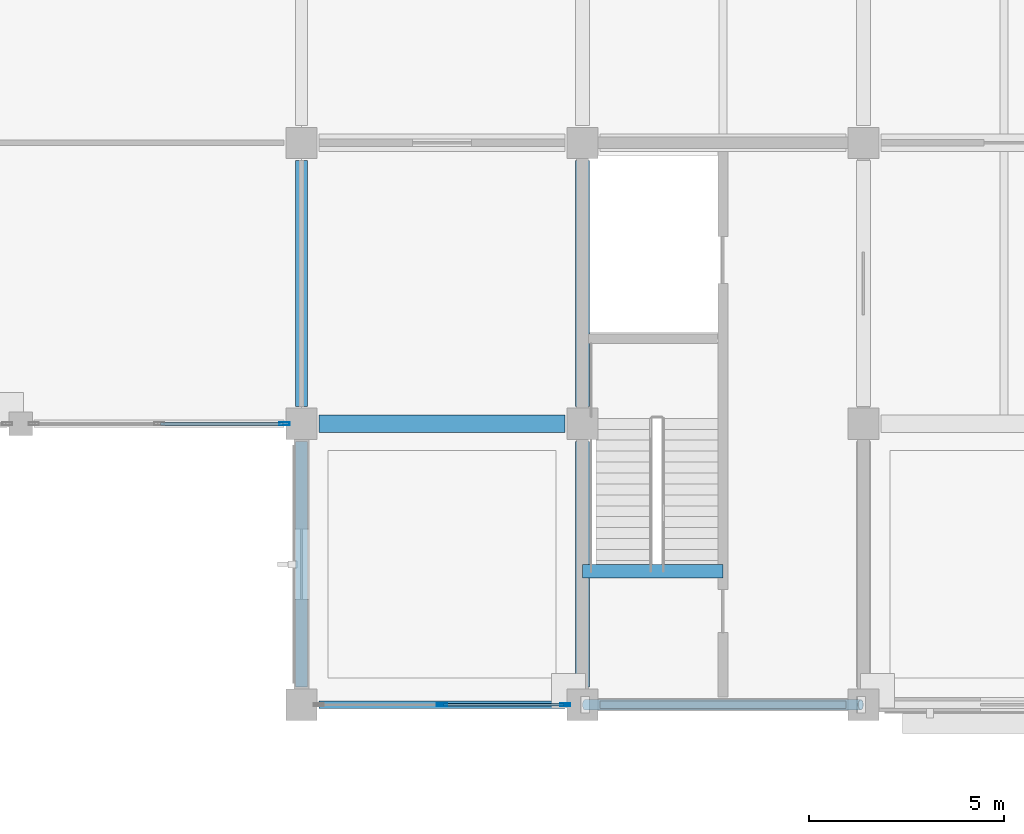
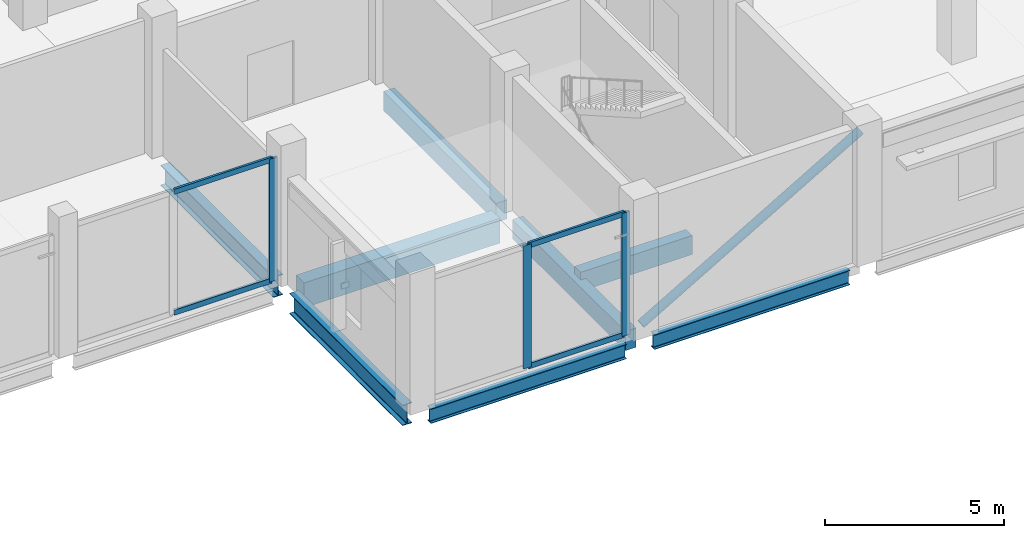
# One storey, part 17 of 99: 8 beams, 8 members, 2 elements without a shape of their own.
"""IFC4 building model written with IfcOpenShell, lengths in metres."""

from ifc_helpers import new_model, si_unit, direction, frame, origin, origin_2d, place, context, subcontext, project, spatial, rectangle, hollow_rectangle, hollow_circle, i_section, extrude, material, material_profile, profile_set, type_object, element, aggregate, save


model = new_model("IFC4")

# Units and contexts
model_context = context("Model", 3, precision=1e-05, world=origin(), true_north=direction((0.0, 1.0)))
body_context = subcontext(model_context, "Body", "Model", "MODEL_VIEW")
ifc_project = project(units=[si_unit("LENGTHUNIT", "METRE"), si_unit("AREAUNIT", "SQUARE_METRE"), si_unit("VOLUMEUNIT", "CUBIC_METRE"), si_unit("PLANEANGLEUNIT", "RADIAN"), si_unit("MASSUNIT", "GRAM", prefix="KILO")], contexts=[model_context])

# Site, building, storey
site_placement = place(None, origin())
site = spatial("IfcSite", under=ifc_project, at=site_placement, CompositionType="ELEMENT")
building_placement = place(site_placement, origin())
building = spatial("IfcBuilding", under=site, at=building_placement, Name="Vesperath Aquatics Centre", CompositionType="ELEMENT")
storey_placement = place(building_placement, frame((0.0, 0.0, 5.39990234375)))
storey = spatial("IfcBuildingStorey", under=building, at=storey_placement, Name="L01", CompositionType="ELEMENT", Elevation=5.39990234375)

# Beams
ifc_material_1 = material(Name="Concrete C35", Category="concrete")
ifc_material_profile_1 = material_profile(ifc_material_1, rectangle(XDim=0.449951171875, YDim=0.85009765625, at=origin_2d()), Name="RC 450x850")
ifc_profile_set_1 = profile_set([ifc_material_profile_1], Name="Concrete C35")
beam_type_1 = type_object("IfcBeamType", Name="BM-G03", PredefinedType="BEAM", material=ifc_profile_set_1)
beam_1_placement = place(storey_placement, frame((115.64990234375, 7.199951171875, -0.684814453125), z_axis=(1.0, 0.0, 0.0), x_axis=(0.0, 1.0, 0.0)))
element("IfcBeam", 1, at=beam_1_placement, inside=storey, type_object=beam_type_1, Name="Floor Girder B03 L01 B 17-18", PredefinedType="BEAM", context=body_context, shape_type="SweptSolid", body=[
    extrude(rectangle(XDim=0.449951171875, YDim=0.85009765625, at=origin_2d()), origin(), (0.0, 0.0, 1.0), 6.300048828125),
])
ifc_material_profile_2 = material_profile(ifc_material_1, rectangle(XDim=0.35009765625, YDim=0.64990234375, at=origin_2d()), Name="RC 350x650")
ifc_profile_set_2 = profile_set([ifc_material_profile_2], Name="Concrete C35")
beam_type_2 = type_object("IfcBeamType", Name="BM-G05", PredefinedType="BEAM", material=ifc_profile_set_2)
for number, where, z_axis, x_axis, name in (
    (2, (122.39990234375, 0.449951171875, -0.5849609375), (0.0, 1.0, 0.0), (-1.0, 0.0, 0.0), "Floor Girder B05 L01 18 A-B"),
    (3, (122.39990234375, 7.64990234375, -0.5849609375), (0.0, 1.0, 0.0), (-1.0, 0.0, 0.0), "Floor Girder B05 L01 18 B-C"),
):
    element("IfcBeam", number, at=place(storey_placement, frame(where, z_axis=z_axis, x_axis=x_axis)), inside=storey, type_object=beam_type_2, Name=name, PredefinedType="BEAM", context=body_context, shape_type="SweptSolid", body=[
        extrude(rectangle(XDim=0.35009765625, YDim=0.64990234375, at=origin_2d()), origin(), (0.0, 0.0, 1.0), 6.300048828125),
    ])
beam_2_placement = place(storey_placement, frame((122.39990234375, 3.419921875, -0.324951171875), z_axis=(1.0, 0.0, 0.0), x_axis=(0.0, 1.0, 0.0)))
element("IfcBeam", 4, at=beam_2_placement, inside=storey, type_object=beam_type_2, Name="Stair ST5 Landing Trimmer Beam B05 L01", PredefinedType="BEAM", context=body_context, shape_type="SweptSolid", body=[
    extrude(rectangle(XDim=0.35009765625, YDim=0.64990234375, at=origin_2d()), origin(), (0.0, 0.0, 1.0), 3.60009765625),
])
ifc_material_2 = material(Name="Steel Q355C", Category="steel")
ifc_material_profile_3 = material_profile(ifc_material_2, i_section(OverallWidth=0.300048828125, OverallDepth=0.699951171875, WebThickness=0.012939453125, FlangeThickness=0.02392578125, FilletRadius=0.028076171875, at=origin_2d()), Name="HN 700x300x13x24")
ifc_profile_set_3 = profile_set([ifc_material_profile_3], Name="Steel Q355C")
beam_type_3 = type_object("IfcBeamType", Name="BM-G08", PredefinedType="BEAM", material=ifc_profile_set_3)
for number, where, z_axis, x_axis, name in (
    (5, (115.199951171875, 0.449951171875, -0.60986328125), (0.0, 1.0, 0.0), (-1.0, 0.0, 0.0), "Floor Girder B08 L01 17 A-B"),
    (6, (115.199951171875, 7.64990234375, -0.60986328125), (0.0, 1.0, 0.0), (-1.0, 0.0, 0.0), "Floor Girder B08 L01 17 B-C"),
):
    element("IfcBeam", number, at=place(storey_placement, frame(where, z_axis=z_axis, x_axis=x_axis)), inside=storey, type_object=beam_type_3, Name=name, PredefinedType="BEAM", context=body_context, shape_type="SweptSolid", body=[
        extrude(i_section(OverallWidth=0.300048828125, OverallDepth=0.699951171875, WebThickness=0.012939453125, FlangeThickness=0.02392578125, FilletRadius=0.028076171875, at=origin_2d()), origin(), (0.0, 0.0, 1.0), 6.300048828125),
    ])
ifc_material_3 = material(Name="Steel Q355D", Category="steel")
ifc_material_profile_4 = material_profile(ifc_material_3, i_section(OverallWidth=0.199951171875, OverallDepth=0.5, WebThickness=0.010009765625, FlangeThickness=0.01611328125, FilletRadius=0.02001953125, at=origin_2d()), Name="HN 500x200x10x16")
ifc_profile_set_4 = profile_set([ifc_material_profile_4], Name="Steel Q355D")
beam_type_4 = type_object("IfcBeamType", Name="BM-SP01", PredefinedType="SPANDREL", material=ifc_profile_set_4)
beam_3_placement = place(storey_placement, frame((115.64990234375, 0.0, -0.510009765625), z_axis=(1.0, 0.0, 0.0), x_axis=(0.0, 1.0, 0.0)))
element("IfcBeam", 7, at=beam_3_placement, inside=storey, type_object=beam_type_4, Name="Floor Girder SP01 L01 A 17-18", PredefinedType="SPANDREL", context=body_context, shape_type="SweptSolid", body=[
    extrude(i_section(OverallWidth=0.199951171875, OverallDepth=0.5, WebThickness=0.010009765625, FlangeThickness=0.01611328125, FilletRadius=0.02001953125, at=origin_2d()), origin(), (0.0, 0.0, 1.0), 6.300048828125),
])
beam_4_placement = place(storey_placement, frame((122.85009765625, 0.0, -0.510009765625), z_axis=(1.0, 0.0, 0.0), x_axis=(0.0, 1.0, 0.0)))
element("IfcBeam", 8, at=beam_4_placement, inside=storey, type_object=beam_type_4, Name="Floor Girder SP01 L01 A 18-19", PredefinedType="SPANDREL", context=body_context, shape_type="SweptSolid", body=[
    extrude(i_section(OverallWidth=0.199951171875, OverallDepth=0.5, WebThickness=0.010009765625, FlangeThickness=0.01611328125, FilletRadius=0.02001953125, at=origin_2d()), origin(), (0.0, 0.0, 1.0), 6.2998046875),
])

# Curtain wall, members
ifc_material_4 = material(Name="Thermally broken anodised bronze aluminium curtain wall", Category="aluminium")
curtain_wall_type = type_object("IfcCurtainWallType", Name="CW-06", PredefinedType="NOTDEFINED", material=ifc_material_4)
curtain_wall_1_placement = place(storey_placement, origin())
curtain_wall_1 = element("IfcCurtainWall", 9, at=curtain_wall_1_placement, inside=storey, type_object=curtain_wall_type, Name="Facade Curtain Wall CW06 L01_S_16_00", PredefinedType="NOTDEFINED")
ifc_material_5 = material(Name="Thermally broken anodised aluminium", Category="aluminium")
ifc_material_profile_5 = material_profile(ifc_material_5, hollow_rectangle(XDim=0.074951171875, YDim=0.260009765625, WallThickness=0.006103515625, at=origin_2d()), Name="CWM 75x260x6")
ifc_profile_set_5 = profile_set([ifc_material_profile_5], Name="Thermally broken anodised aluminium")
member_type_1 = type_object("IfcMemberType", Name="MB-CWM1", PredefinedType="MULLION", material=ifc_profile_set_5)
member_1_placement = place(storey_placement, frame((118.800048828125, 0.0, 0.0), z_axis=(0.0, 0.0, 1.0), x_axis=(0.0, 1.0, 0.0)))
member_1 = element("IfcMember", 10, at=member_1_placement, type_object=member_type_1, Name="CW06 mullion 2", PredefinedType="MULLION", context=body_context, shape_type="SweptSolid", body=[
    extrude(hollow_rectangle(XDim=0.074951171875, YDim=0.260009765625, WallThickness=0.006103515625, at=origin_2d()), origin(), (0.0, 0.0, 1.0), 4.190185546875),
])
member_2_placement = place(storey_placement, frame((121.96240234375, 0.0, 0.0), z_axis=(0.0, 0.0, 1.0), x_axis=(0.0, 1.0, 0.0)))
member_2 = element("IfcMember", 11, at=member_2_placement, type_object=member_type_1, Name="CW06 mullion 3", PredefinedType="MULLION", context=body_context, shape_type="SweptSolid", body=[
    extrude(hollow_rectangle(XDim=0.074951171875, YDim=0.260009765625, WallThickness=0.006103515625, at=origin_2d()), origin(), (0.0, 0.0, 1.0), 4.190185546875),
])

# Curtain wall, member
curtain_wall_2_placement = place(storey_placement, origin())
curtain_wall_2 = element("IfcCurtainWall", 12, at=curtain_wall_2_placement, inside=storey, type_object=curtain_wall_type, Name="Facade Curtain Wall CW06 L01_S_15_01", PredefinedType="NOTDEFINED")
member_3_placement = place(storey_placement, frame((114.762451171875, 7.199951171875, 0.0), z_axis=(0.0, 0.0, 1.0), x_axis=(0.0, 1.0, 0.0)))
member_3 = element("IfcMember", 13, at=member_3_placement, type_object=member_type_1, Name="CW06 mullion 3", PredefinedType="MULLION", context=body_context, shape_type="SweptSolid", body=[
    extrude(hollow_rectangle(XDim=0.074951171875, YDim=0.260009765625, WallThickness=0.006103515625, at=origin_2d()), origin(), (0.0, 0.0, 1.0), 4.190185546875),
])

# Member
ifc_material_profile_6 = material_profile(ifc_material_5, hollow_rectangle(XDim=0.074951171875, YDim=0.179931640625, WallThickness=0.0048828125, at=origin_2d()), Name="CWT 75x180x5")
ifc_profile_set_6 = profile_set([ifc_material_profile_6], Name="Thermally broken anodised aluminium")
member_type_2 = type_object("IfcMemberType", Name="MB-CWT1", PredefinedType="USERDEFINED", material=ifc_profile_set_6)
member_4_placement = place(storey_placement, frame((118.83740234375, 0.0, 0.03759765625), z_axis=(1.0, 0.0, 0.0), x_axis=(0.0, 1.0, 0.0)))
member_4 = element("IfcMember", 14, at=member_4_placement, type_object=member_type_2, Name="CW06 transom 2.1", ObjectType="TRANSOM", PredefinedType="USERDEFINED", context=body_context, shape_type="SweptSolid", body=[
    extrude(hollow_rectangle(XDim=0.074951171875, YDim=0.179931640625, WallThickness=0.0048828125, at=origin_2d()), origin(), (0.0, 0.0, 1.0), 3.087646484375),
])

member_5_placement = place(storey_placement, frame((118.83740234375, 0.0, 4.152587890625), z_axis=(1.0, 0.0, 0.0), x_axis=(0.0, 1.0, 0.0)))
member_5 = element("IfcMember", 15, at=member_5_placement, type_object=member_type_2, Name="CW06 transom 2.2", ObjectType="TRANSOM", PredefinedType="USERDEFINED", context=body_context, shape_type="SweptSolid", body=[
    extrude(hollow_rectangle(XDim=0.074951171875, YDim=0.179931640625, WallThickness=0.0048828125, at=origin_2d()), origin(), (0.0, 0.0, 1.0), 3.087646484375),
])

aggregate(curtain_wall_1, [member_1, member_2, member_4, member_5])

member_6_placement = place(storey_placement, frame((111.58740234375, 7.199951171875, 0.03759765625), z_axis=(1.0, 0.0, 0.0), x_axis=(0.0, 1.0, 0.0)))
member_6 = element("IfcMember", 16, at=member_6_placement, type_object=member_type_2, Name="CW06 transom 2.1", ObjectType="TRANSOM", PredefinedType="USERDEFINED", context=body_context, shape_type="SweptSolid", body=[
    extrude(hollow_rectangle(XDim=0.074951171875, YDim=0.179931640625, WallThickness=0.0048828125, at=origin_2d()), origin(), (0.0, 0.0, 1.0), 3.1376953125),
])

member_7_placement = place(storey_placement, frame((111.58740234375, 7.199951171875, 4.152587890625), z_axis=(1.0, 0.0, 0.0), x_axis=(0.0, 1.0, 0.0)))
member_7 = element("IfcMember", 17, at=member_7_placement, type_object=member_type_2, Name="CW06 transom 2.2", ObjectType="TRANSOM", PredefinedType="USERDEFINED", context=body_context, shape_type="SweptSolid", body=[
    extrude(hollow_rectangle(XDim=0.074951171875, YDim=0.179931640625, WallThickness=0.0048828125, at=origin_2d()), origin(), (0.0, 0.0, 1.0), 3.1376953125),
])

aggregate(curtain_wall_2, [member_3, member_6, member_7])

ifc_material_profile_7 = material_profile(ifc_material_3, hollow_circle(Radius=0.136474609375, WallThickness=0.011962890625, at=origin_2d()), Name="CHS 273.0x12")
ifc_profile_set_7 = profile_set([ifc_material_profile_7], Name="Steel Q355D")
member_type_3 = type_object("IfcMemberType", Name="MB-TS02", PredefinedType="STRUT", material=ifc_profile_set_7)
member_8_placement = place(storey_placement, frame((122.468994140625, 0.0, 0.1904296875), z_axis=(0.863785399272, 0.0, 0.50385988529), x_axis=(0.0, 1.0, 0.0)))
element("IfcMember", 18, at=member_8_placement, inside=storey, type_object=member_type_3, Name="Lateral Braced Frame Strut C5_S L01", PredefinedType="STRUT", context=body_context, shape_type="SweptSolid", body=[
    extrude(hollow_circle(Radius=0.136474609375, WallThickness=0.011962890625, at=origin_2d()), origin(), (0.0, 0.0, 1.0), 8.175537109375),
])

save(model, "model.ifc")
